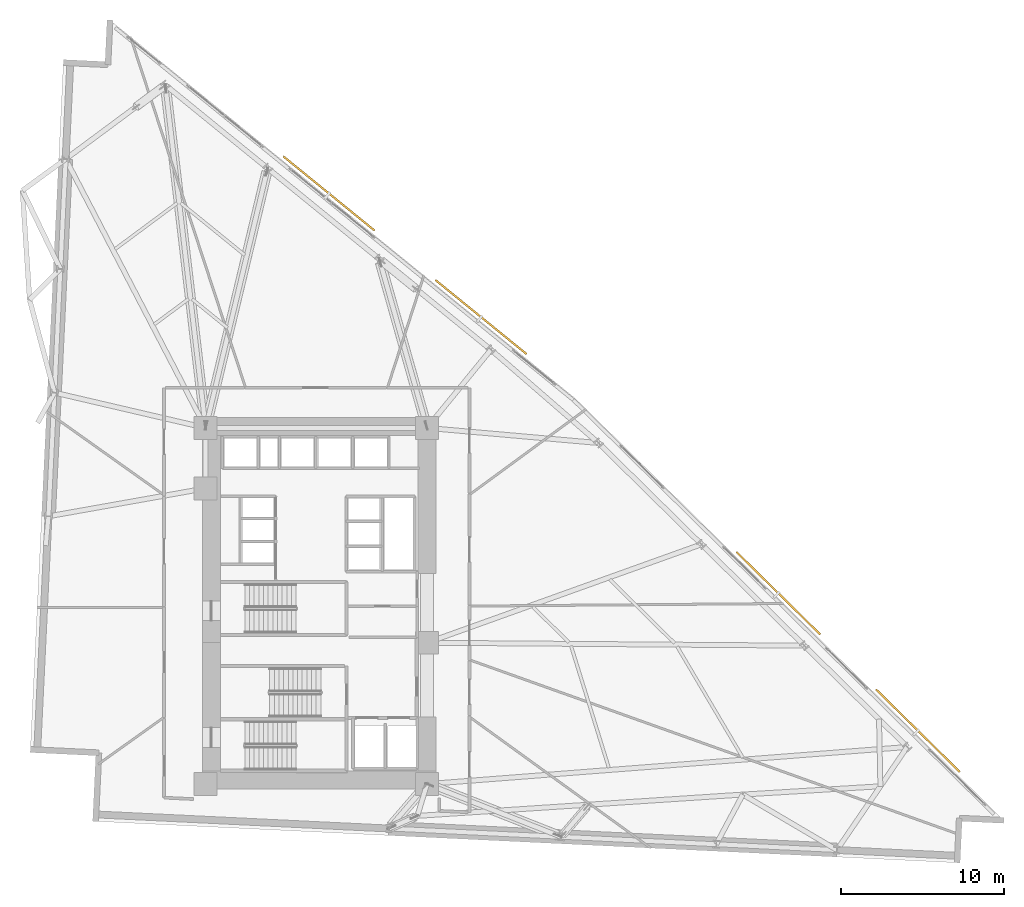
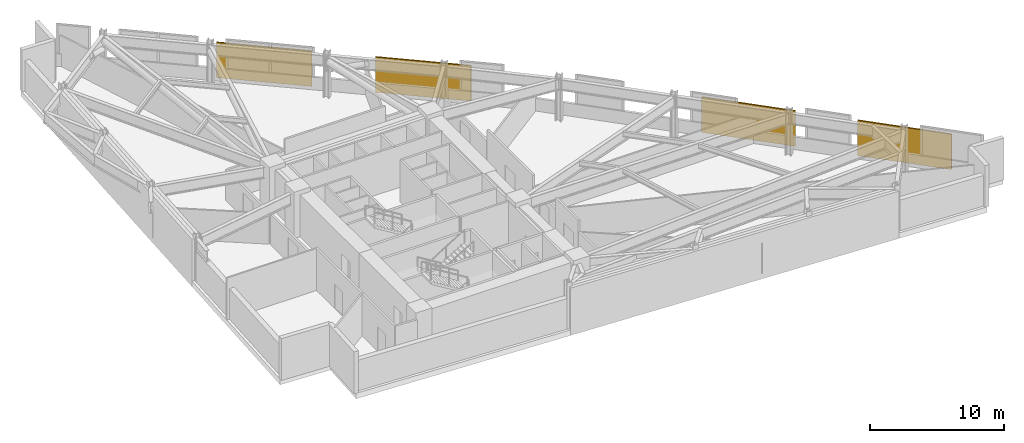
# One storey, part 18 of 18: 4 shading devices.
"""IFC4 building model written with IfcOpenShell, lengths in metres."""

from ifc_helpers import new_model, si_unit, direction, frame, origin, origin_2d, place, context, subcontext, project, spatial, rectangle, extrude, material, layer, layer_set, type_object, element, save


model = new_model("IFC4")

# Units and contexts
model_context = context("Model", 3, precision=1e-05, world=origin(), true_north=direction((0.0, 1.0)))
body_context = subcontext(model_context, "Body", "Model", "MODEL_VIEW")
ifc_project = project(units=[si_unit("LENGTHUNIT", "METRE"), si_unit("AREAUNIT", "SQUARE_METRE"), si_unit("VOLUMEUNIT", "CUBIC_METRE"), si_unit("PLANEANGLEUNIT", "RADIAN"), si_unit("MASSUNIT", "GRAM", prefix="KILO")], contexts=[model_context])

# Site, building, storey
site_placement = place(None, origin())
site = spatial("IfcSite", under=ifc_project, at=site_placement, CompositionType="ELEMENT")
building_placement = place(site_placement, origin())
building = spatial("IfcBuilding", under=site, at=building_placement, Name="Narakoshi Arena Tower", CompositionType="ELEMENT")
storey_placement = place(building_placement, frame((0.0, 0.0, 59.10009765625)))
storey = spatial("IfcBuildingStorey", under=building, at=storey_placement, Name="L15", CompositionType="ELEMENT", Elevation=59.10009765625)

# Shading devices
ifc_material = material(Name="Anodised bronze aluminium 6063-T6", Category="aluminium")
ifc_layer = layer(ifc_material, 0.1201171875)
ifc_layer_set = layer_set([ifc_layer], Name="Anodised bronze aluminium 6063-T6")
shading_device_type = type_object("IfcShadingDeviceType", Name="SHD-LVR-PLT", PredefinedType="JALOUSIE", material=ifc_layer_set)
for number, where, z_axis, x_axis, name in (
    (1, (115.596435546875, 37.9677734375, 0.0), (0.0, 0.0, 1.0), (-0.712540559713, 0.70163092204, 0.0), "L15 Outrigger Plant Louvre Bank 1-1"),
    (2, (107.0458984375, 46.38720703125, 0.0), (0.0, 0.0, 1.0), (-0.712540559713, 0.70163092204, 0.0), "L15 Outrigger Plant Louvre Bank 1-2"),
    (3, (88.855224609375, 63.2841796875, 0.0), (0.0, 0.0, 1.0), (-0.776002375698, 0.630729984154, 0.0), "L15 Outrigger Plant Louvre Bank 2-1"),
    (4, (79.543212890625, 70.85302734375, 0.0), (0.0, 0.0, 1.0), (-0.776002375698, 0.630729984154, 0.0), "L15 Outrigger Plant Louvre Bank 2-2"),
):
    element("IfcShadingDevice", number, at=place(storey_placement, frame(where, z_axis=z_axis, x_axis=x_axis)), inside=storey, type_object=shading_device_type, Name=name, PredefinedType="JALOUSIE", context=body_context, shape_type="SweptSolid", body=[
        extrude(rectangle(XDim=7.199951171875, YDim=0.1201171875, at=origin_2d()), origin(), (0.0, 0.0, 1.0), 3.199951171875),
    ])

save(model, "model.ifc")
